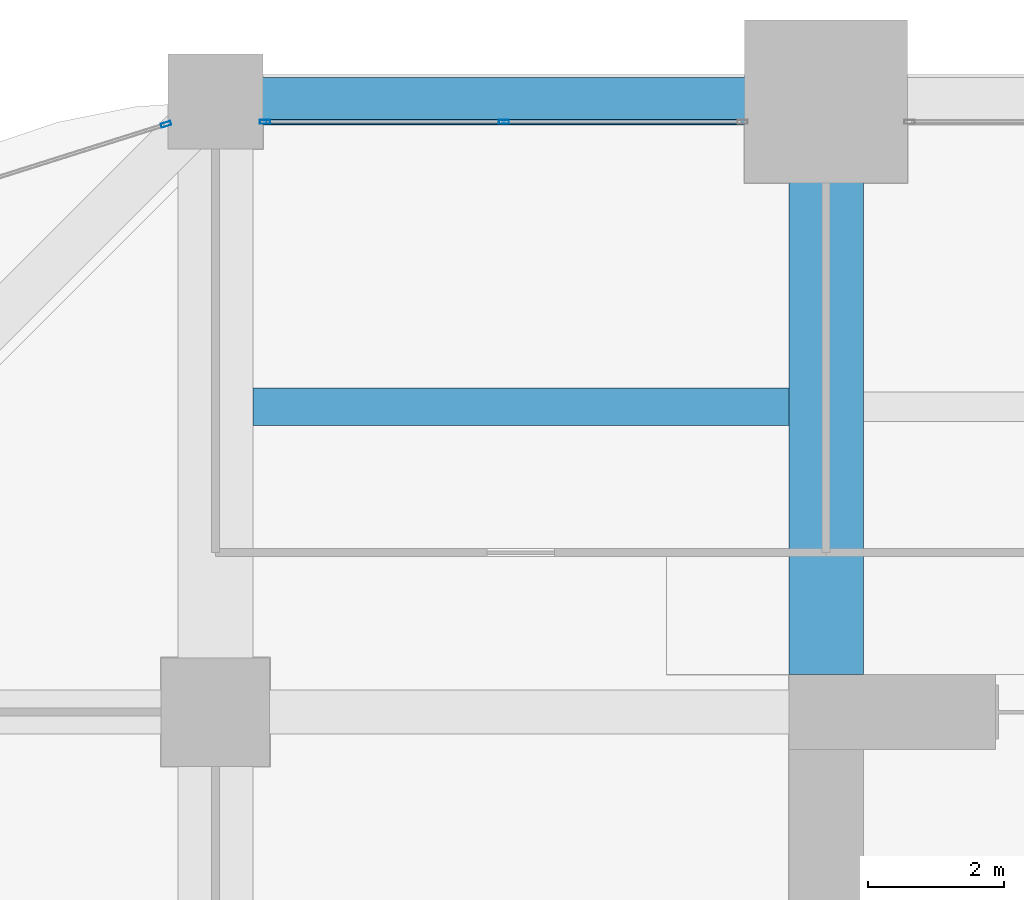
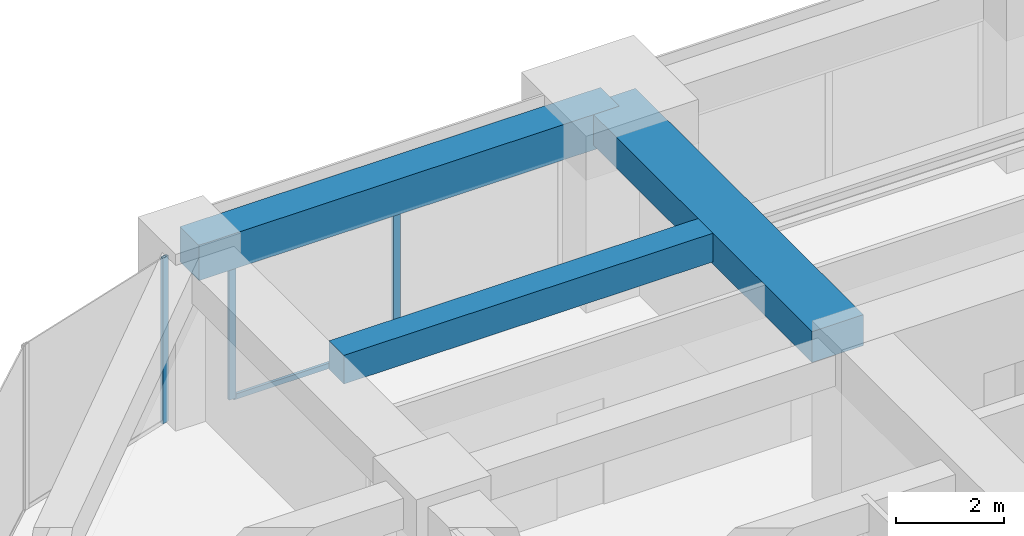
# One storey, part 23 of 32: 4 members, 3 beams, 2 elements without a shape of their own.
"""IFC4 building model written with IfcOpenShell, lengths in metres."""

from ifc_helpers import new_model, si_unit, direction, frame, origin, origin_2d, place, context, subcontext, project, spatial, rectangle, hollow_rectangle, extrude, material, material_profile, profile_set, type_object, element, aggregate, save


model = new_model("IFC4")

# Units and contexts
model_context = context("Model", 3, precision=1e-05, world=origin(), true_north=direction((0.0, 1.0)))
body_context = subcontext(model_context, "Body", "Model", "MODEL_VIEW")
ifc_project = project(units=[si_unit("LENGTHUNIT", "METRE"), si_unit("AREAUNIT", "SQUARE_METRE"), si_unit("VOLUMEUNIT", "CUBIC_METRE"), si_unit("PLANEANGLEUNIT", "RADIAN"), si_unit("MASSUNIT", "GRAM", prefix="KILO")], contexts=[model_context])

# Site, building, storey
site_placement = place(None, origin())
site = spatial("IfcSite", under=ifc_project, at=site_placement, CompositionType="ELEMENT")
building_placement = place(site_placement, origin())
building = spatial("IfcBuilding", under=site, at=building_placement, Name="Zorevar Civic Tower", CompositionType="ELEMENT")
storey_placement = place(building_placement, frame((0.0, 0.0, 190.199951171875)))
storey = spatial("IfcBuildingStorey", under=building, at=storey_placement, Name="L46", CompositionType="ELEMENT", Elevation=190.199951171875)

# Beams
ifc_material_1 = material(Name="Concrete C50/60", Category="concrete")
ifc_material_profile_1 = material_profile(ifc_material_1, rectangle(XDim=1.10009765625, YDim=0.699951171875, at=origin_2d()), Name="RC 1100x700")
ifc_profile_set_1 = profile_set([ifc_material_profile_1], Name="Concrete C50/60")
beam_type_1 = type_object("IfcBeamType", Name="Beam RC 1100x700", PredefinedType="BEAM", material=ifc_profile_set_1)
beam_1_placement = place(storey_placement, frame((18.0, 36.550048828125, 3.400146484375), z_axis=(0.0, 1.0, 0.0), x_axis=(-1.0, 0.0, 0.0)))
element("IfcBeam", 1, at=beam_1_placement, inside=storey, type_object=beam_type_1, Name="Girder L47", PredefinedType="BEAM", context=body_context, shape_type="SweptSolid", body=[
    extrude(rectangle(XDim=1.10009765625, YDim=0.699951171875, at=origin_2d()), origin(), (0.0, 0.0, 1.0), 8.449951171875),
])
ifc_material_2 = material(Name="Concrete C50/60", Category="concrete")
ifc_material_profile_2 = material_profile(ifc_material_2, rectangle(XDim=0.550048828125, YDim=0.64990234375, at=origin_2d()), Name="RC 550x650")
ifc_profile_set_2 = profile_set([ifc_material_profile_2], Name="Concrete C50/60")
beam_type_2 = type_object("IfcBeamType", Name="Beam RC 550x650", PredefinedType="BEAM", material=ifc_profile_set_2)
beam_2_placement = place(storey_placement, frame((9.550048828125, 40.5, 3.425048828125), z_axis=(1.0, 0.0, 0.0), x_axis=(0.0, 1.0, 0.0)))
element("IfcBeam", 2, at=beam_2_placement, inside=storey, type_object=beam_type_2, Name="Secondary beam L47", PredefinedType="BEAM", context=body_context, shape_type="SweptSolid", body=[
    extrude(rectangle(XDim=0.550048828125, YDim=0.64990234375, at=origin_2d()), origin(), (0.0, 0.0, 1.0), 7.89990234375),
])

# Curtain wall, members
ifc_material_3 = material(Name="Dark grey solar-control glass in black aluminium frame", Category="aluminium")
curtain_wall_type = type_object("IfcCurtainWallType", Name="Curtain wall CW4 high zone", PredefinedType="NOTDEFINED", material=ifc_material_3)
curtain_wall_1_placement = place(storey_placement, origin())
curtain_wall_1 = element("IfcCurtainWall", 3, at=curtain_wall_1_placement, inside=storey, type_object=curtain_wall_type, Name="CW4 L46", PredefinedType="NOTDEFINED")
ifc_material_4 = material(Name="Aluminium, black anodised", Category="aluminium")
ifc_material_profile_3 = material_profile(ifc_material_4, hollow_rectangle(XDim=0.06005859375, YDim=0.14990234375, WallThickness=0.00390625, at=origin_2d()), Name="AL 150x60x4")
ifc_profile_set_3 = profile_set([ifc_material_profile_3], Name="Aluminium, black anodised")
member_type_1 = type_object("IfcMemberType", Name="CW4 mullion AL 150x60x4", PredefinedType="MULLION", material=ifc_profile_set_3)
member_1_placement = place(storey_placement, frame((9.72998046875, 44.699951171875, 0.0), z_axis=(0.0, 0.0, 1.0), x_axis=(0.0, 1.0, 0.0)))
member_1 = element("IfcMember", 4, at=member_1_placement, type_object=member_type_1, Name="CW4 mullion 1", PredefinedType="MULLION", context=body_context, shape_type="SweptSolid", body=[
    extrude(hollow_rectangle(XDim=0.06005859375, YDim=0.14990234375, WallThickness=0.00390625, at=origin_2d()), origin(), (0.0, 0.0, 1.0), 2.949951171875),
])
member_2_placement = place(storey_placement, frame((13.25, 44.699951171875, 0.06005859375), z_axis=(0.0, 0.0, 1.0), x_axis=(0.0, 1.0, 0.0)))
member_2 = element("IfcMember", 5, at=member_2_placement, type_object=member_type_1, Name="CW4 mullion 2", PredefinedType="MULLION", context=body_context, shape_type="SweptSolid", body=[
    extrude(hollow_rectangle(XDim=0.06005859375, YDim=0.14990234375, WallThickness=0.00390625, at=origin_2d()), origin(), (0.0, 0.0, 1.0), 2.889892578125),
])

# Curtain wall, member
curtain_wall_2_placement = place(storey_placement, origin())
curtain_wall_2 = element("IfcCurtainWall", 6, at=curtain_wall_2_placement, inside=storey, type_object=curtain_wall_type, Name="CW4 L46", PredefinedType="NOTDEFINED")
member_3_placement = place(storey_placement, frame((8.271484375, 44.66259765625, 0.0), z_axis=(0.0, 0.0, 1.0), x_axis=(0.301108296077, -0.953589950678, 0.0)))
member_3 = element("IfcMember", 7, at=member_3_placement, type_object=member_type_1, Name="CW4 mullion 1", PredefinedType="MULLION", context=body_context, shape_type="SweptSolid", body=[
    extrude(hollow_rectangle(XDim=0.06005859375, YDim=0.14990234375, WallThickness=0.00390625, at=origin_2d()), origin(), (0.0, 0.0, 1.0), 3.75),
])
aggregate(curtain_wall_2, [member_3])

# Member
ifc_material_5 = material(Name="Aluminium, black anodised", Category="aluminium")
ifc_material_profile_4 = material_profile(ifc_material_5, hollow_rectangle(XDim=0.06005859375, YDim=0.1201171875, WallThickness=0.0029296875, at=origin_2d()), Name="AL 120x60x3")
ifc_profile_set_4 = profile_set([ifc_material_profile_4], Name="Aluminium, black anodised")
member_type_2 = type_object("IfcMemberType", Name="CW4 transom AL 120x60x3", PredefinedType="USERDEFINED", material=ifc_profile_set_4)
member_4_placement = place(storey_placement, frame((9.760009765625, 44.699951171875, 0.030029296875), z_axis=(1.0, 0.0, 0.0), x_axis=(0.0, 1.0, 0.0)))
member_4 = element("IfcMember", 8, at=member_4_placement, type_object=member_type_2, Name="CW4 sill transom", ObjectType="TRANSOM", PredefinedType="USERDEFINED", context=body_context, shape_type="SweptSolid", body=[
    extrude(hollow_rectangle(XDim=0.06005859375, YDim=0.1201171875, WallThickness=0.0029296875, at=origin_2d()), origin(), (0.0, 0.0, 1.0), 6.97998046875),
])

aggregate(curtain_wall_1, [member_1, member_2, member_4])

# Beam
ifc_material_6 = material(Name="Concrete C50/60", Category="concrete")
ifc_material_profile_5 = material_profile(ifc_material_6, rectangle(XDim=0.699951171875, YDim=0.800048828125, at=origin_2d()), Name="RC 700x800")
ifc_profile_set_5 = profile_set([ifc_material_profile_5], Name="Concrete C50/60")
beam_type_3 = type_object("IfcBeamType", Name="Edge beam RC 700x800", PredefinedType="SPANDREL", material=ifc_profile_set_5)
beam_3_placement = place(storey_placement, frame((9.0, 45.0, 3.35009765625), z_axis=(1.0, 0.0, 0.0), x_axis=(0.0, 1.0, 0.0)))
element("IfcBeam", 9, at=beam_3_placement, inside=storey, type_object=beam_type_3, Name="Edge beam L47", PredefinedType="SPANDREL", context=body_context, shape_type="SweptSolid", body=[
    extrude(rectangle(XDim=0.699951171875, YDim=0.800048828125, at=origin_2d()), origin(), (0.0, 0.0, 1.0), 9.0),
])

save(model, "model.ifc")
